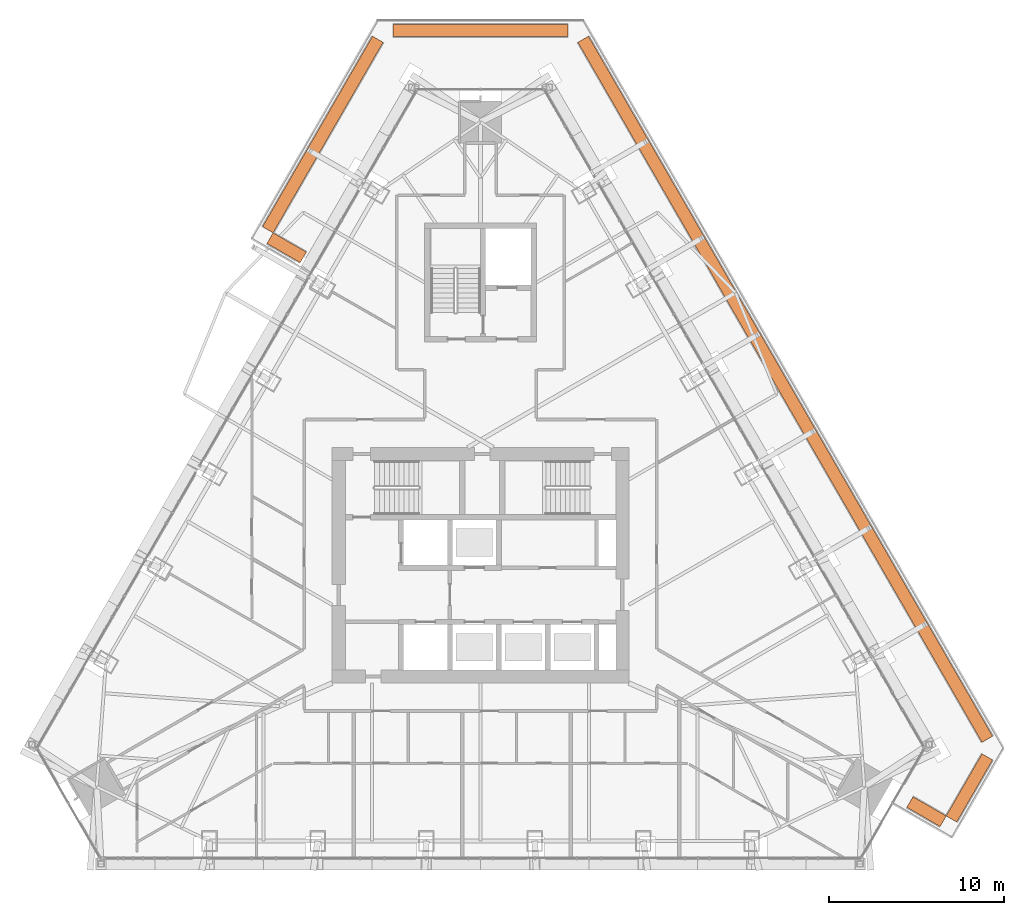
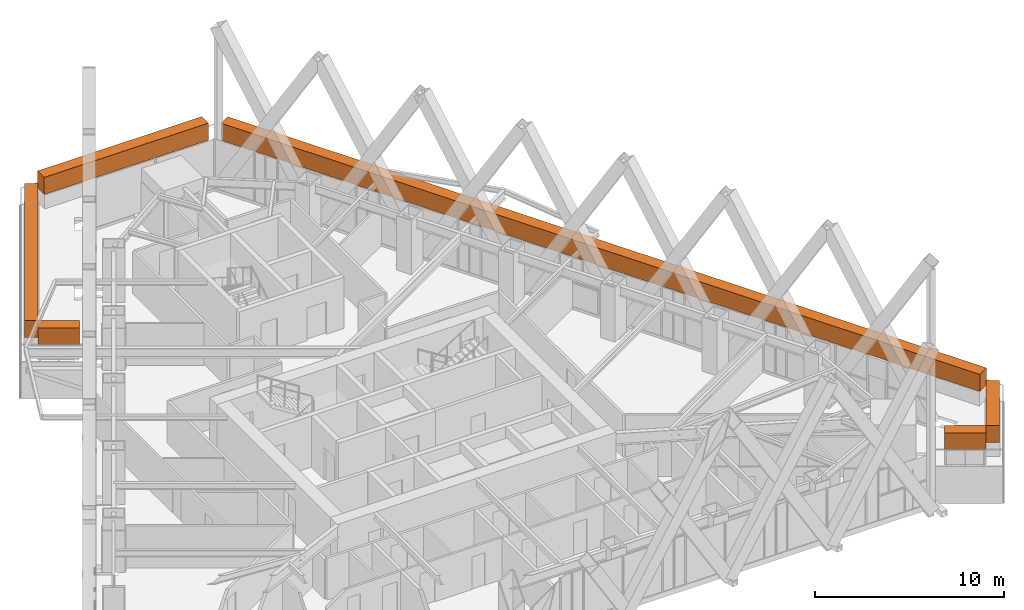
# One storey, part 23 of 23: 6 geographic elements.
"""IFC4 building model written with IfcOpenShell, lengths in metres."""

from ifc_helpers import new_model, si_unit, direction, frame, origin, origin_2d, place, context, subcontext, project, spatial, rectangle, extrude, material, type_object, element, save


model = new_model("IFC4")

# Units and contexts
model_context = context("Model", 3, precision=1e-05, world=origin(), true_north=direction((0.0, 1.0)))
body_context = subcontext(model_context, "Body", "Model", "MODEL_VIEW")
ifc_project = project(units=[si_unit("LENGTHUNIT", "METRE"), si_unit("AREAUNIT", "SQUARE_METRE"), si_unit("VOLUMEUNIT", "CUBIC_METRE"), si_unit("PLANEANGLEUNIT", "RADIAN"), si_unit("MASSUNIT", "GRAM", prefix="KILO")], contexts=[model_context])

# Site, building, storey
site_placement = place(None, origin())
site = spatial("IfcSite", under=ifc_project, at=site_placement, CompositionType="ELEMENT")
building_placement = place(site_placement, origin())
building = spatial("IfcBuilding", under=site, at=building_placement, Name="Firuza Gate Tower and Library", CompositionType="ELEMENT")
storey_placement = place(building_placement, frame((0.0, 0.0, 291.60009765625)))
storey = spatial("IfcBuildingStorey", under=building, at=storey_placement, Name="L70", CompositionType="ELEMENT", Elevation=291.60009765625)

# Geographic elements
ifc_material = material(Name="Foliage")
geographic_element_type = type_object("IfcGeographicElementType", Name="Planted hedge", PredefinedType="USERDEFINED", material=ifc_material)
geographic_element_1_placement = place(storey_placement, frame((100.5537109375, 60.881591796875, 0.89990234375), z_axis=(0.0, 0.0, 1.0), x_axis=(0.866025403784, -0.5, 0.0)))
element("IfcGeographicElement", 1, at=geographic_element_1_placement, inside=storey, type_object=geographic_element_type, Name="Planted hedge", ObjectType="HEDGE", PredefinedType="USERDEFINED", context=body_context, shape_type="SweptSolid", body=[
    extrude(rectangle(XDim=2.199951171875, YDim=0.699951171875, at=origin_2d()), origin(), (0.0, 0.0, 1.0), 1.10009765625),
])
geographic_element_2_placement = place(storey_placement, frame((103.01171875, 62.2392578125, 0.89990234375), z_axis=(0.0, 0.0, 1.0), x_axis=(0.5, 0.866025403784, 0.0)))
element("IfcGeographicElement", 2, at=geographic_element_2_placement, inside=storey, type_object=geographic_element_type, Name="Planted hedge", ObjectType="HEDGE", PredefinedType="USERDEFINED", context=body_context, shape_type="SweptSolid", body=[
    extrude(rectangle(XDim=4.109375, YDim=0.699951171875, at=origin_2d()), origin(), (0.0, 0.0, 1.0), 1.10009765625),
])
geographic_element_3_placement = place(storey_placement, frame((92.461181640625, 85.081298828125, 0.89990234375), z_axis=(0.0, 0.0, 1.0), x_axis=(-0.5, 0.866025403784, 0.0)))
element("IfcGeographicElement", 3, at=geographic_element_3_placement, inside=storey, type_object=geographic_element_type, Name="Planted hedge", ObjectType="HEDGE", PredefinedType="USERDEFINED", context=body_context, shape_type="SweptSolid", body=[
    extrude(rectangle(XDim=46.312255859375, YDim=0.699951171875, at=origin_2d()), origin(), (0.0, 0.0, 1.0), 1.10009765625),
])
geographic_element_4_placement = place(storey_placement, frame((75.0, 105.639404296875, 0.89990234375), z_axis=(0.0, 0.0, 1.0), x_axis=(-1.0, 0.0, 0.0)))
element("IfcGeographicElement", 4, at=geographic_element_4_placement, inside=storey, type_object=geographic_element_type, Name="Planted hedge", ObjectType="HEDGE", PredefinedType="USERDEFINED", context=body_context, shape_type="SweptSolid", body=[
    extrude(rectangle(XDim=10.018798828125, YDim=0.699951171875, at=origin_2d()), origin(), (0.0, 0.0, 1.0), 1.10009765625),
])
geographic_element_5_placement = place(storey_placement, frame((65.965087890625, 99.67578125, 0.89990234375), z_axis=(0.0, 0.0, 1.0), x_axis=(-0.5, -0.866025403784, 0.0)))
element("IfcGeographicElement", 5, at=geographic_element_5_placement, inside=storey, type_object=geographic_element_type, Name="Planted hedge", ObjectType="HEDGE", PredefinedType="USERDEFINED", context=body_context, shape_type="SweptSolid", body=[
    extrude(rectangle(XDim=12.607177734375, YDim=0.699951171875, at=origin_2d()), origin(), (0.0, 0.0, 1.0), 1.10009765625),
])
geographic_element_6_placement = place(storey_placement, frame((63.89404296875, 93.188720703125, 0.89990234375), z_axis=(0.0, 0.0, 1.0), x_axis=(0.866025403784, -0.5, 0.0)))
element("IfcGeographicElement", 6, at=geographic_element_6_placement, inside=storey, type_object=geographic_element_type, Name="Planted hedge", ObjectType="HEDGE", PredefinedType="USERDEFINED", context=body_context, shape_type="SweptSolid", body=[
    extrude(rectangle(XDim=2.199951171875, YDim=0.699951171875, at=origin_2d()), origin(), (0.0, 0.0, 1.0), 1.10009765625),
])

save(model, "model.ifc")
